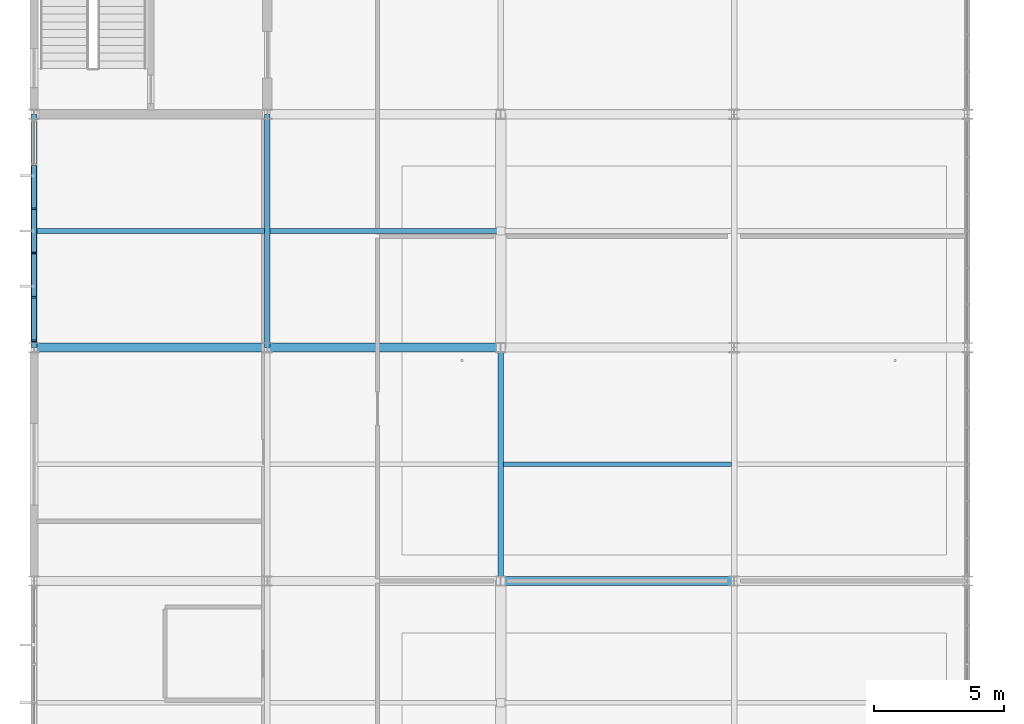
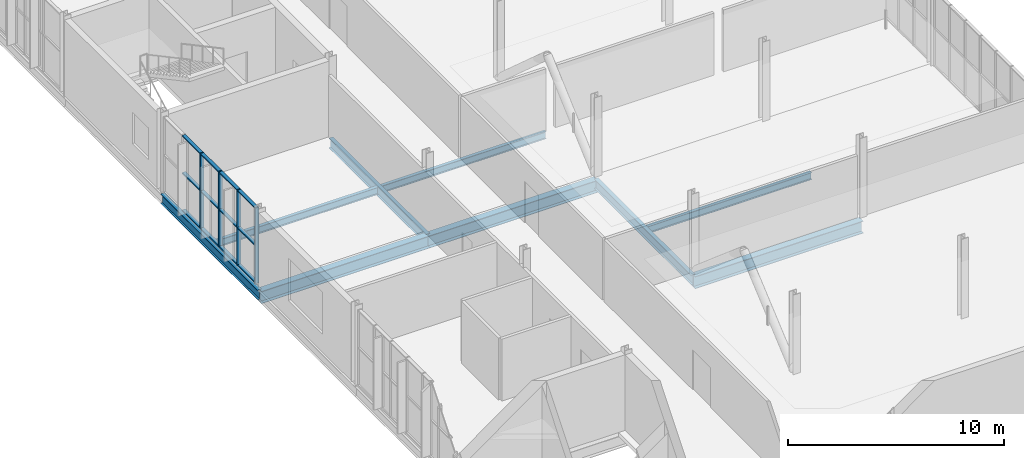
# One storey, part 27 of 103: 16 members, 9 beams, 1 element without a shape of its own.
"""IFC4 building model written with IfcOpenShell, lengths in metres."""

import ifcopenshell
import ifcopenshell.guid

model = None  # the IFC model being written
_history = None  # IfcOwnerHistory: only IFC2X3 demands one
_inside = {}  # id of a spatial element -> (the spatial element, [elements in it])
_under = {}  # id of a project, library or spatial element -> (it, [spatial elements below it])
_declared = {}  # id of a project -> (the project, [libraries it declares])
_typed = {}  # id of a type object -> (the type object, [elements of that type])
_made_of = {}  # id of a material, layer set ... -> (it, [elements and type objects made of it])


def new_model(schema):
    """Start an empty IFC model of exactly this schema.

    Asked for "IFC4X3", IfcOpenShell would pick the latest addendum, in which some entities
    have other attributes; the version numbers below select the first issue.
    IFC2X3 requires an IfcOwnerHistory on every rooted entity: one is made here for all.
    """
    global model, _history
    if schema == "IFC4X3":
        model = ifcopenshell.file(schema_version=(4, 3, 0, 0))
    else:
        model = ifcopenshell.file(schema=schema)
    _inside.clear()
    _under.clear()
    _declared.clear()
    _typed.clear()
    _made_of.clear()
    _history = None
    if model.schema == "IFC2X3":
        org = make("IfcOrganization", Name="unknown")
        user = make(
            "IfcPersonAndOrganization",
            ThePerson=make("IfcPerson", FamilyName="unknown"),
            TheOrganization=org,
        )
        app = make(
            "IfcApplication",
            ApplicationDeveloper=org,
            Version="unknown",
            ApplicationFullName="unknown",
            ApplicationIdentifier="unknown",
        )
        _history = make(
            "IfcOwnerHistory",
            OwningUser=user,
            OwningApplication=app,
            ChangeAction="ADDED",
            CreationDate=0,
        )
    return model


def make(cls, **values):
    """One entity of the class cls with the attributes given. An attribute that is None is left unset."""
    return model.create_entity(
        cls, **{name: value for name, value in values.items() if value is not None}
    )


def rooted(cls, **values):
    """An entity with a GlobalId (a new one), such as an element, a storey or a relation."""
    return make(cls, GlobalId=ifcopenshell.guid.new(), OwnerHistory=_history, **values)


def si_unit(unit_type, name, prefix=None):
    """IfcSIUnit, for example si_unit("LENGTHUNIT", "METRE", prefix="MILLI")."""
    return make("IfcSIUnit", UnitType=unit_type, Prefix=prefix, Name=name)


def assignment(units):
    """IfcUnitAssignment: the units of a project."""
    return None if units is None else make("IfcUnitAssignment", Units=units)


def point(xyz):
    """IfcCartesianPoint."""
    return None if xyz is None else make("IfcCartesianPoint", Coordinates=xyz)


def direction(xyz):
    """IfcDirection."""
    return None if xyz is None else make("IfcDirection", DirectionRatios=xyz)


def frame(location, z_axis=None, x_axis=None):
    """IfcAxis2Placement3D, a coordinate frame: its origin and axes. An axis left out is left unset."""
    return make(
        "IfcAxis2Placement3D",
        Location=point(location),
        Axis=direction(z_axis),
        RefDirection=direction(x_axis),
    )


def frame_2d(location, x_axis=None):
    """IfcAxis2Placement2D, a coordinate frame in the plane: its origin and x axis."""
    return make(
        "IfcAxis2Placement2D", Location=point(location), RefDirection=direction(x_axis)
    )


def origin():
    """The frame at (0, 0, 0) with its axes left unset."""
    return frame((0.0, 0.0, 0.0))


def origin_2d():
    """The frame at (0, 0) in the plane with its x axis left unset."""
    return frame_2d((0.0, 0.0))


def place(relative_to, where):
    """IfcLocalPlacement: puts the frame where relative to a parent placement (None: the world)."""
    return make(
        "IfcLocalPlacement", PlacementRelTo=relative_to, RelativePlacement=where
    )


def context(
    kind, dimensions, precision=None, world=None, true_north=None, identifier=None
):
    """IfcGeometricRepresentationContext, for example the 3D "Model" context."""
    return make(
        "IfcGeometricRepresentationContext",
        ContextIdentifier=identifier,
        ContextType=kind,
        CoordinateSpaceDimension=dimensions,
        Precision=precision,
        WorldCoordinateSystem=world,
        TrueNorth=true_north,
    )


def subcontext(parent, identifier, kind, view, scale=None):
    """IfcGeometricRepresentationSubContext, for example "Body" below "Model"."""
    return make(
        "IfcGeometricRepresentationSubContext",
        ContextIdentifier=identifier,
        ContextType=kind,
        ParentContext=parent,
        TargetScale=scale,
        TargetView=view,
    )


def project(units=None, contexts=None):
    """IfcProject with its units and contexts."""
    return rooted(
        "IfcProject",
        Name="project",
        RepresentationContexts=contexts,
        UnitsInContext=assignment(units),
    )


def spatial(cls, under=None, at=None, **own):
    """A site, building, storey or space (cls), placed at a placement, below another one or the project."""
    s = rooted(cls, ObjectPlacement=at, **own)
    if under is not None:
        _under.setdefault(under.id(), (under, []))[1].append(s)
    return s


def profile(cls, at=None, kind="AREA", **sizes):
    """A parametric profile (cls). Its sizes go by their IFC names, for example OverallWidth=200.0."""
    return make(cls, ProfileType=kind, Position=at, **sizes)


def rectangle(**sizes):
    """IfcRectangleProfileDef."""
    return profile("IfcRectangleProfileDef", **sizes)


def i_section(**sizes):
    """IfcIShapeProfileDef."""
    return profile("IfcIShapeProfileDef", **sizes)


def extrude(swept, where, along, depth):
    """IfcExtrudedAreaSolid: the profile swept, set in the frame where, extruded along a direction by depth."""
    return make(
        "IfcExtrudedAreaSolid",
        SweptArea=swept,
        Position=where,
        ExtrudedDirection=direction(along),
        Depth=depth,
    )


def shape(context_of_items, identifier, shape_type, items):
    """IfcShapeRepresentation: the items that make up one representation, for example the "Body"."""
    return make(
        "IfcShapeRepresentation",
        ContextOfItems=context_of_items,
        RepresentationIdentifier=identifier,
        RepresentationType=shape_type,
        Items=items,
    )


def material(Name=None, Category=None):
    """IfcMaterial."""
    return make("IfcMaterial", Name=Name, Category=Category)


def layer(
    of_material, thickness, ventilated=None, Name=None, Category=None, Priority=None
):
    """IfcMaterialLayer: one layer of a wall or slab, of a material (None: an air gap)."""
    return make(
        "IfcMaterialLayer",
        Material=of_material,
        LayerThickness=thickness,
        IsVentilated=ventilated,
        Name=Name,
        Category=Category,
        Priority=Priority,
    )


def layer_set(layers, Name=None):
    """IfcMaterialLayerSet."""
    return make("IfcMaterialLayerSet", MaterialLayers=layers, LayerSetName=Name)


def material_profile(
    of_material, cross_section, Name=None, Category=None, Priority=None
):
    """IfcMaterialProfile: a cross section and its material."""
    return make(
        "IfcMaterialProfile",
        Name=Name,
        Material=of_material,
        Profile=cross_section,
        Priority=Priority,
        Category=Category,
    )


def profile_set(profiles, Name=None, composite=None):
    """IfcMaterialProfileSet."""
    return make(
        "IfcMaterialProfileSet",
        Name=Name,
        MaterialProfiles=profiles,
        CompositeProfile=composite,
    )


def made_of(thing, what):
    """Note that an element or type object is made of a material, layer set ...; save() writes the relation."""
    if what is not None:
        _made_of.setdefault(what.id(), (what, []))[1].append(thing)
    return thing


def type_object(cls, material=None, **own):
    """A type object (cls), such as IfcWallType, which elements share."""
    return made_of(rooted(cls, **own), material)


def element(
    cls,
    number,
    at=None,
    inside=None,
    cuts=None,
    type_object=None,
    material=None,
    context=None,
    identifier="Body",
    shape_type=None,
    held_by="IfcProductDefinitionShape",
    body=None,
    shapes=None,
    **own,
):
    """One element of the class cls, such as IfcWall. Its Tag is "e" and its number.

    at: its placement. inside: the storey or other place that contains it. cuts: it is an
    opening in that element (IfcRelVoidsElement). A single representation is given by context,
    identifier, shape_type and body (its items); several are given by shapes. held_by: the class
    of the entity that holds the representations. save() writes the other relations.
    """
    e = rooted(cls, Tag="e%d" % number, ObjectPlacement=at, **own)
    if body is not None:
        shapes = [shape(context, identifier, shape_type, body)]
    if shapes is not None:
        e.Representation = make(held_by, Representations=shapes)
    if inside is not None:
        _inside.setdefault(inside.id(), (inside, []))[1].append(e)
    if cuts is not None:
        rooted(
            "IfcRelVoidsElement", RelatingBuildingElement=cuts, RelatedOpeningElement=e
        )
    if type_object is not None:
        _typed.setdefault(type_object.id(), (type_object, []))[1].append(e)
    return made_of(e, material)


def aggregate(whole, parts):
    """IfcRelAggregates: a whole, such as a stair, and the parts it consists of."""
    return rooted("IfcRelAggregates", RelatingObject=whole, RelatedObjects=parts)


def save(model, path):
    """Write the relations noted so far, then the file.

    IfcRelAggregates (storeys below a building ...), IfcRelContainedInSpatialStructure (elements
    in a storey), IfcRelDefinesByType, IfcRelAssociatesMaterial and IfcRelDeclares: one each for
    every whole, place, type object, material and project.
    """
    for whole, parts in _under.values():
        aggregate(whole, parts)
    for where, things in _inside.values():
        rooted(
            "IfcRelContainedInSpatialStructure",
            RelatedElements=things,
            RelatingStructure=where,
        )
    for kind, things in _typed.values():
        rooted("IfcRelDefinesByType", RelatedObjects=things, RelatingType=kind)
    for what, things in _made_of.values():
        rooted("IfcRelAssociatesMaterial", RelatedObjects=things, RelatingMaterial=what)
    for by, libraries in _declared.values():
        rooted("IfcRelDeclares", RelatingContext=by, RelatedDefinitions=libraries)
    model.write(path)


model = new_model("IFC4")

# Units and contexts
model_context = context("Model", 3, precision=1e-05, world=origin(), true_north=direction((0.0, 1.0)))
body_context = subcontext(model_context, "Body", "Model", "MODEL_VIEW")
ifc_project = project(units=[si_unit("LENGTHUNIT", "METRE"), si_unit("AREAUNIT", "SQUARE_METRE"), si_unit("VOLUMEUNIT", "CUBIC_METRE"), si_unit("PLANEANGLEUNIT", "RADIAN"), si_unit("MASSUNIT", "GRAM", prefix="KILO")], contexts=[model_context])

# Site, building, storey
site_placement = place(None, origin())
site = spatial("IfcSite", under=ifc_project, at=site_placement, CompositionType="ELEMENT")
building_placement = place(site_placement, origin())
building = spatial("IfcBuilding", under=site, at=building_placement, Name="Cazmaro Siding Exhibition Halls", CompositionType="ELEMENT")
storey_placement = place(building_placement, frame((0.0, 0.0, 16.5)))
storey = spatial("IfcBuildingStorey", under=building, at=storey_placement, Name="L03", CompositionType="ELEMENT", Elevation=16.5)

# Beams
ifc_material_1 = material(Name="Steel ASTM A992 Grade 50", Category="steel")
ifc_material_profile_1 = material_profile(ifc_material_1, i_section(OverallWidth=0.214111328125, OverallDepth=0.549072265625, WebThickness=0.014892578125, FlangeThickness=0.02392578125, at=origin_2d()), Name="W21X93")
ifc_profile_set_1 = profile_set([ifc_material_profile_1], Name="Steel ASTM A992 Grade 50")
beam_type_1 = type_object("IfcBeamType", Name="B-01", PredefinedType="BEAM", material=ifc_profile_set_1)
for number, where, z_axis, x_axis, name in (
    (1, (0.0, 82.0, -0.493896484375), (0.0, 1.0, 0.0), (-1.0, 0.0, 0.0), "Beam B-01 BM-2241"),
    (2, (9.0, 82.0, -0.493896484375), (0.0, 1.0, 0.0), (-1.0, 0.0, 0.0), "Beam B-01 BM-2249"),
    (3, (18.0, 73.0, -0.493896484375), (0.0, 1.0, 0.0), (-1.0, 0.0, 0.0), "Beam B-01 BM-2256"),
):
    element("IfcBeam", number, at=place(storey_placement, frame(where, z_axis=z_axis, x_axis=x_axis)), inside=storey, type_object=beam_type_1, Name=name, PredefinedType="BEAM", context=body_context, shape_type="SweptSolid", body=[
        extrude(i_section(OverallWidth=0.214111328125, OverallDepth=0.549072265625, WebThickness=0.014892578125, FlangeThickness=0.02392578125, at=origin_2d()), origin(), (0.0, 0.0, 1.0), 9.0),
    ])

# Curtain wall, members
ifc_material_2 = material(Name="Anodized Bronze Aluminum and Solar-Control Low-E Glazing", Category="aluminium")
ifc_layer = layer(ifc_material_2, 0.199951171875)
ifc_layer_set = layer_set([ifc_layer], Name="Anodized Bronze Aluminum and Solar-Control Low-E Glazing")
curtain_wall_type = type_object("IfcCurtainWallType", Name="CWS-02", PredefinedType="USERDEFINED", material=ifc_layer_set)
curtain_wall_placement = place(storey_placement, origin())
curtain_wall = element("IfcCurtainWall", 4, at=curtain_wall_placement, inside=storey, type_object=curtain_wall_type, Name="Glazed Curtain Wall CWS-02 CW-251", ObjectType="GLAZED CURTAIN WALL", PredefinedType="USERDEFINED")
ifc_material_3 = material(Name="Anodized Bronze Extruded Aluminum", Category="aluminium")
ifc_material_profile_2 = material_profile(ifc_material_3, rectangle(XDim=0.199951171875, YDim=0.06494140625, at=origin_2d()), Name="CWM-02")
ifc_profile_set_2 = profile_set([ifc_material_profile_2], Name="Anodized Bronze Extruded Aluminum")
member_type_1 = type_object("IfcMemberType", Name="CWM-02", PredefinedType="MULLION", material=ifc_profile_set_2)
member_1_placement = place(storey_placement, frame((0.0, 87.353515625, 0.0), z_axis=(0.0, 0.0, 1.0), x_axis=(1.0, 0.0, 0.0)))
member_1 = element("IfcMember", 5, at=member_1_placement, type_object=member_type_1, Name="CWS-02 mullion 3", PredefinedType="MULLION", context=body_context, shape_type="SweptSolid", body=[
    extrude(rectangle(XDim=0.199951171875, YDim=0.06494140625, at=origin_2d()), origin(), (0.0, 0.0, 1.0), 4.280029296875),
])
member_2_placement = place(storey_placement, frame((0.0, 85.646484375, 0.0), z_axis=(0.0, 0.0, 1.0), x_axis=(1.0, 0.0, 0.0)))
member_2 = element("IfcMember", 6, at=member_2_placement, type_object=member_type_1, Name="CWS-02 mullion 4", PredefinedType="MULLION", context=body_context, shape_type="SweptSolid", body=[
    extrude(rectangle(XDim=0.199951171875, YDim=0.06494140625, at=origin_2d()), origin(), (0.0, 0.0, 1.0), 4.280029296875),
])
member_3_placement = place(storey_placement, frame((0.0, 83.939697265625, 0.0), z_axis=(0.0, 0.0, 1.0), x_axis=(1.0, 0.0, 0.0)))
member_3 = element("IfcMember", 7, at=member_3_placement, type_object=member_type_1, Name="CWS-02 mullion 5", PredefinedType="MULLION", context=body_context, shape_type="SweptSolid", body=[
    extrude(rectangle(XDim=0.199951171875, YDim=0.06494140625, at=origin_2d()), origin(), (0.0, 0.0, 1.0), 4.280029296875),
])
member_4_placement = place(storey_placement, frame((0.0, 82.265380859375, 0.0), z_axis=(0.0, 0.0, 1.0), x_axis=(1.0, 0.0, 0.0)))
member_4 = element("IfcMember", 8, at=member_4_placement, type_object=member_type_1, Name="CWS-02 mullion 6", PredefinedType="MULLION", context=body_context, shape_type="SweptSolid", body=[
    extrude(rectangle(XDim=0.199951171875, YDim=0.06494140625, at=origin_2d()), origin(), (0.0, 0.0, 1.0), 4.280029296875),
])
ifc_material_4 = material(Name="Anodized Bronze Extruded Aluminum", Category="aluminium")
ifc_material_profile_3 = material_profile(ifc_material_4, rectangle(XDim=0.179931640625, YDim=0.06494140625, at=origin_2d()), Name="CWT-02")
ifc_profile_set_3 = profile_set([ifc_material_profile_3], Name="Anodized Bronze Extruded Aluminum")
member_type_2 = type_object("IfcMemberType", Name="CWT-02", PredefinedType="MULLION", material=ifc_profile_set_3)
member_5_placement = place(storey_placement, frame((0.0, 89.027587890625, 0.032470703125), z_axis=(0.0, -1.0, 0.0), x_axis=(1.0, 0.0, 0.0)))
member_5 = element("IfcMember", 9, at=member_5_placement, type_object=member_type_2, Name="CWS-02 transom 2.1", ObjectType="TRANSOM", PredefinedType="USERDEFINED", context=body_context, shape_type="SweptSolid", body=[
    extrude(rectangle(XDim=0.179931640625, YDim=0.06494140625, at=origin_2d()), origin(), (0.0, 0.0, 1.0), 1.6416015625),
])
member_6_placement = place(storey_placement, frame((0.0, 89.027587890625, 2.139892578125), z_axis=(0.0, -1.0, 0.0), x_axis=(1.0, 0.0, 0.0)))
member_6 = element("IfcMember", 10, at=member_6_placement, type_object=member_type_2, Name="CWS-02 transom 2.2", ObjectType="TRANSOM", PredefinedType="USERDEFINED", context=body_context, shape_type="SweptSolid", body=[
    extrude(rectangle(XDim=0.179931640625, YDim=0.06494140625, at=origin_2d()), origin(), (0.0, 0.0, 1.0), 1.6416015625),
])
member_7_placement = place(storey_placement, frame((0.0, 89.027587890625, 4.24755859375), z_axis=(0.0, -1.0, 0.0), x_axis=(1.0, 0.0, 0.0)))
member_7 = element("IfcMember", 11, at=member_7_placement, type_object=member_type_2, Name="CWS-02 transom 2.3", ObjectType="TRANSOM", PredefinedType="USERDEFINED", context=body_context, shape_type="SweptSolid", body=[
    extrude(rectangle(XDim=0.179931640625, YDim=0.06494140625, at=origin_2d()), origin(), (0.0, 0.0, 1.0), 1.6416015625),
])
member_8_placement = place(storey_placement, frame((0.0, 87.32080078125, 0.032470703125), z_axis=(0.0, -1.0, 0.0), x_axis=(1.0, 0.0, 0.0)))
member_8 = element("IfcMember", 12, at=member_8_placement, type_object=member_type_2, Name="CWS-02 transom 3.1", ObjectType="TRANSOM", PredefinedType="USERDEFINED", context=body_context, shape_type="SweptSolid", body=[
    extrude(rectangle(XDim=0.179931640625, YDim=0.06494140625, at=origin_2d()), origin(), (0.0, 0.0, 1.0), 1.6416015625),
])
member_9_placement = place(storey_placement, frame((0.0, 87.32080078125, 2.139892578125), z_axis=(0.0, -1.0, 0.0), x_axis=(1.0, 0.0, 0.0)))
member_9 = element("IfcMember", 13, at=member_9_placement, type_object=member_type_2, Name="CWS-02 transom 3.2", ObjectType="TRANSOM", PredefinedType="USERDEFINED", context=body_context, shape_type="SweptSolid", body=[
    extrude(rectangle(XDim=0.179931640625, YDim=0.06494140625, at=origin_2d()), origin(), (0.0, 0.0, 1.0), 1.6416015625),
])
member_10_placement = place(storey_placement, frame((0.0, 87.32080078125, 4.24755859375), z_axis=(0.0, -1.0, 0.0), x_axis=(1.0, 0.0, 0.0)))
member_10 = element("IfcMember", 14, at=member_10_placement, type_object=member_type_2, Name="CWS-02 transom 3.3", ObjectType="TRANSOM", PredefinedType="USERDEFINED", context=body_context, shape_type="SweptSolid", body=[
    extrude(rectangle(XDim=0.179931640625, YDim=0.06494140625, at=origin_2d()), origin(), (0.0, 0.0, 1.0), 1.6416015625),
])
member_11_placement = place(storey_placement, frame((0.0, 85.614013671875, 0.032470703125), z_axis=(0.0, -1.0, 0.0), x_axis=(1.0, 0.0, 0.0)))
member_11 = element("IfcMember", 15, at=member_11_placement, type_object=member_type_2, Name="CWS-02 transom 4.1", ObjectType="TRANSOM", PredefinedType="USERDEFINED", context=body_context, shape_type="SweptSolid", body=[
    extrude(rectangle(XDim=0.179931640625, YDim=0.06494140625, at=origin_2d()), origin(), (0.0, 0.0, 1.0), 1.6416015625),
])
member_12_placement = place(storey_placement, frame((0.0, 85.614013671875, 2.139892578125), z_axis=(0.0, -1.0, 0.0), x_axis=(1.0, 0.0, 0.0)))
member_12 = element("IfcMember", 16, at=member_12_placement, type_object=member_type_2, Name="CWS-02 transom 4.2", ObjectType="TRANSOM", PredefinedType="USERDEFINED", context=body_context, shape_type="SweptSolid", body=[
    extrude(rectangle(XDim=0.179931640625, YDim=0.06494140625, at=origin_2d()), origin(), (0.0, 0.0, 1.0), 1.6416015625),
])
member_13_placement = place(storey_placement, frame((0.0, 85.614013671875, 4.24755859375), z_axis=(0.0, -1.0, 0.0), x_axis=(1.0, 0.0, 0.0)))
member_13 = element("IfcMember", 17, at=member_13_placement, type_object=member_type_2, Name="CWS-02 transom 4.3", ObjectType="TRANSOM", PredefinedType="USERDEFINED", context=body_context, shape_type="SweptSolid", body=[
    extrude(rectangle(XDim=0.179931640625, YDim=0.06494140625, at=origin_2d()), origin(), (0.0, 0.0, 1.0), 1.6416015625),
])
member_14_placement = place(storey_placement, frame((0.0, 83.9072265625, 0.032470703125), z_axis=(0.0, -1.0, 0.0), x_axis=(1.0, 0.0, 0.0)))
member_14 = element("IfcMember", 18, at=member_14_placement, type_object=member_type_2, Name="CWS-02 transom 5.1", ObjectType="TRANSOM", PredefinedType="USERDEFINED", context=body_context, shape_type="SweptSolid", body=[
    extrude(rectangle(XDim=0.179931640625, YDim=0.06494140625, at=origin_2d()), origin(), (0.0, 0.0, 1.0), 1.609130859375),
])
member_15_placement = place(storey_placement, frame((0.0, 83.9072265625, 2.139892578125), z_axis=(0.0, -1.0, 0.0), x_axis=(1.0, 0.0, 0.0)))
member_15 = element("IfcMember", 19, at=member_15_placement, type_object=member_type_2, Name="CWS-02 transom 5.2", ObjectType="TRANSOM", PredefinedType="USERDEFINED", context=body_context, shape_type="SweptSolid", body=[
    extrude(rectangle(XDim=0.179931640625, YDim=0.06494140625, at=origin_2d()), origin(), (0.0, 0.0, 1.0), 1.609130859375),
])
member_16_placement = place(storey_placement, frame((0.0, 83.9072265625, 4.24755859375), z_axis=(0.0, -1.0, 0.0), x_axis=(1.0, 0.0, 0.0)))
member_16 = element("IfcMember", 20, at=member_16_placement, type_object=member_type_2, Name="CWS-02 transom 5.3", ObjectType="TRANSOM", PredefinedType="USERDEFINED", context=body_context, shape_type="SweptSolid", body=[
    extrude(rectangle(XDim=0.179931640625, YDim=0.06494140625, at=origin_2d()), origin(), (0.0, 0.0, 1.0), 1.609130859375),
])
aggregate(curtain_wall, [member_1, member_2, member_3, member_4, member_5, member_6, member_7, member_8, member_9, member_10, member_11, member_12, member_13, member_14, member_15, member_16])

# Beams
ifc_material_5 = material(Name="Steel ASTM A992 Grade 50", Category="steel")
ifc_material_profile_4 = material_profile(ifc_material_5, i_section(OverallWidth=0.35595703125, OverallDepth=0.696044921875, WebThickness=0.014892578125, FlangeThickness=0.02490234375, at=origin_2d()), Name="W27X146")
ifc_profile_set_4 = profile_set([ifc_material_profile_4], Name="Steel ASTM A992 Grade 50")
beam_type_2 = type_object("IfcBeamType", Name="G-05", PredefinedType="USERDEFINED", material=ifc_profile_set_4)
for number, where, z_axis, x_axis, name in (
    (21, (0.0, 82.0, -0.568115234375), (1.0, 0.0, 0.0), (0.0, 1.0, 0.0), "Beam G-05 BM-2175"),
    (22, (9.0, 82.0, -0.568115234375), (1.0, 0.0, 0.0), (0.0, 1.0, 0.0), "Beam G-05 BM-2190"),
    (23, (18.0, 73.0, -0.568115234375), (1.0, 0.0, 0.0), (0.0, 1.0, 0.0), "Beam G-05 BM-2206"),
):
    element("IfcBeam", number, at=place(storey_placement, frame(where, z_axis=z_axis, x_axis=x_axis)), inside=storey, type_object=beam_type_2, Name=name, ObjectType="GIRDER", PredefinedType="USERDEFINED", context=body_context, shape_type="SweptSolid", body=[
        extrude(i_section(OverallWidth=0.35595703125, OverallDepth=0.696044921875, WebThickness=0.014892578125, FlangeThickness=0.02490234375, at=origin_2d()), origin(), (0.0, 0.0, 1.0), 9.0),
    ])
ifc_material_6 = material(Name="Steel ASTM A992 Grade 50", Category="steel")
ifc_material_profile_5 = material_profile(ifc_material_6, i_section(OverallWidth=0.177978515625, OverallDepth=0.406005859375, WebThickness=0.008056640625, FlangeThickness=0.012939453125, at=origin_2d()), Name="W16X40")
ifc_profile_set_5 = profile_set([ifc_material_profile_5], Name="Steel ASTM A992 Grade 50")
beam_type_3 = type_object("IfcBeamType", Name="J-02", PredefinedType="JOIST", material=ifc_profile_set_5)
for number, where, z_axis, x_axis, name in (
    (24, (0.10693359375, 86.5, -0.423095703125), (1.0, 0.0, 0.0), (0.0, 1.0, 0.0), "Beam J-02 BM-2183"),
    (25, (9.10693359375, 86.5, -0.423095703125), (1.0, 0.0, 0.0), (0.0, 1.0, 0.0), "Beam J-02 BM-2199"),
    (26, (18.10693359375, 77.5, -0.423095703125), (1.0, 0.0, 0.0), (0.0, 1.0, 0.0), "Beam J-02 BM-2215"),
):
    element("IfcBeam", number, at=place(storey_placement, frame(where, z_axis=z_axis, x_axis=x_axis)), inside=storey, type_object=beam_type_3, Name=name, PredefinedType="JOIST", context=body_context, shape_type="SweptSolid", body=[
        extrude(i_section(OverallWidth=0.177978515625, OverallDepth=0.406005859375, WebThickness=0.008056640625, FlangeThickness=0.012939453125, at=origin_2d()), origin(), (0.0, 0.0, 1.0), 8.7861328125),
    ])

save(model, "model.ifc")
